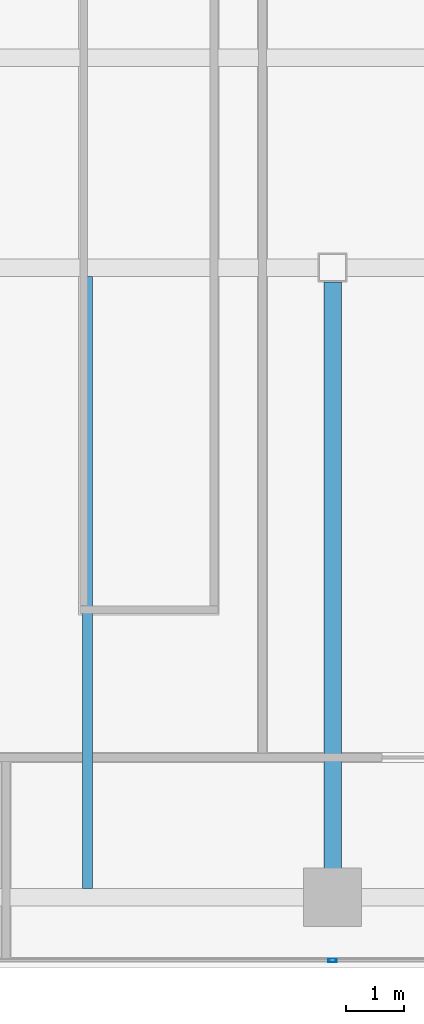
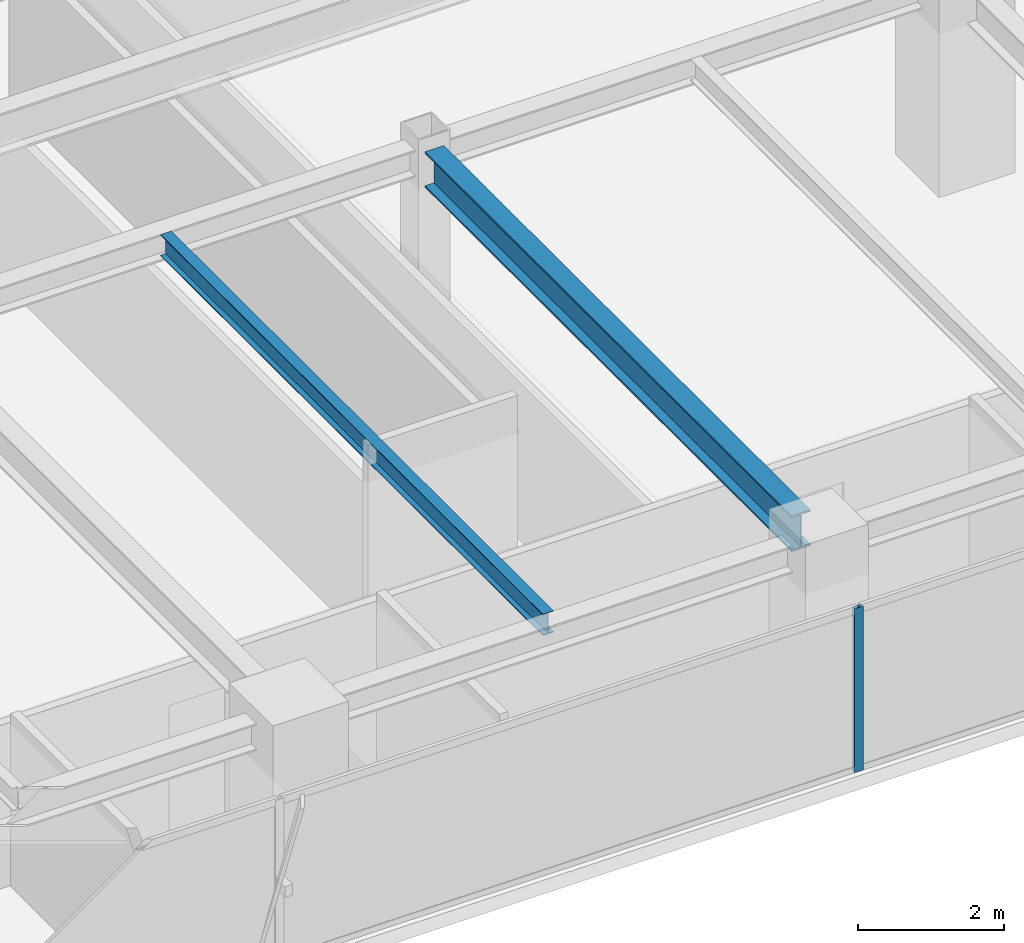
# One storey, part 6 of 26: 2 beams, 1 member, 1 element without a shape of its own.
"""IFC4 building model written with IfcOpenShell, lengths in metres."""

from ifc_helpers import new_model, si_unit, direction, frame, origin, origin_2d, place, context, subcontext, project, spatial, hollow_rectangle, i_section, extrude, source, transform, mapped, material, layer, layer_set, material_profile, profile_set, type_object, element, aggregate, save


model = new_model("IFC4")

# Units and contexts
model_context = context("Model", 3, precision=1e-05, world=origin(), true_north=direction((0.0, 1.0)))
body_context = subcontext(model_context, "Body", "Model", "MODEL_VIEW")
ifc_project = project(units=[si_unit("LENGTHUNIT", "METRE"), si_unit("AREAUNIT", "SQUARE_METRE"), si_unit("VOLUMEUNIT", "CUBIC_METRE"), si_unit("PLANEANGLEUNIT", "RADIAN"), si_unit("MASSUNIT", "GRAM", prefix="KILO")], contexts=[model_context])

# Site, building, storey
site_placement = place(None, origin())
site = spatial("IfcSite", under=ifc_project, at=site_placement, CompositionType="ELEMENT")
building_placement = place(site_placement, origin())
building = spatial("IfcBuilding", under=site, at=building_placement, Name="Sumidabori Civic Tower", CompositionType="ELEMENT")
storey_placement = place(building_placement, frame((0.0, 0.0, 236.0)))
storey = spatial("IfcBuildingStorey", under=building, at=storey_placement, Name="L61", CompositionType="ELEMENT", Elevation=236.0)

# Beams
ifc_material_1 = material(Name="Steel SN490", Category="steel")
ifc_material_profile_1 = material_profile(ifc_material_1, i_section(OverallWidth=0.300048828125, OverallDepth=0.60009765625, WebThickness=0.015380859375, FlangeThickness=0.030029296875, at=origin_2d()), Name="HE 600 B")
ifc_profile_set_1 = profile_set([ifc_material_profile_1], Name="Steel SN490")
beam_type_1 = type_object("IfcBeamType", Name="BM-GIRD-600", PredefinedType="BEAM", material=ifc_profile_set_1)
shared_shape_1 = source(origin(), body_context, "Body", "SweptSolid", [
    extrude(i_section(OverallWidth=0.300048828125, OverallDepth=0.60009765625, WebThickness=0.015380859375, FlangeThickness=0.030029296875, at=origin_2d()), origin(), (0.0, 0.0, 1.0), 10.070068359375),
])
beam_1_placement = place(storey_placement, frame((0.0, -10.320068359375, 3.070068359375), z_axis=(0.0, 1.0, 0.0), x_axis=(-1.0, 0.0, 0.0)))
element("IfcBeam", 1, at=beam_1_placement, inside=storey, type_object=beam_type_1, Name="Primary Girder L61 GY-13", PredefinedType="BEAM", context=body_context, shape_type="MappedRepresentation", body=[
    mapped(shared_shape_1, transform((0.0, 0.0, 0.0), x_axis=(1.0, 0.0, 0.0), y_axis=(0.0, 1.0, 0.0), z_axis=(0.0, 0.0, 1.0), scale=1.0)),
])
ifc_material_profile_2 = material_profile(ifc_material_1, i_section(OverallWidth=0.169921875, OverallDepth=0.360107421875, WebThickness=0.008056640625, FlangeThickness=0.0126953125, at=origin_2d()), Name="IPE 360")
ifc_profile_set_2 = profile_set([ifc_material_profile_2], Name="Steel SN490")
beam_type_2 = type_object("IfcBeamType", Name="BM-JST-360", PredefinedType="JOIST", material=ifc_profile_set_2)
shared_shape_2 = source(origin(), body_context, "Body", "SweptSolid", [
    extrude(i_section(OverallWidth=0.169921875, OverallDepth=0.360107421875, WebThickness=0.008056640625, FlangeThickness=0.0126953125, at=origin_2d()), origin(), (0.0, 0.0, 1.0), 10.5),
])
beam_2_placement = place(storey_placement, frame((-4.199951171875, -10.64990234375, 3.18994140625), z_axis=(0.0, 1.0, 0.0), x_axis=(-1.0, 0.0, 0.0)))
element("IfcBeam", 2, at=beam_2_placement, inside=storey, type_object=beam_type_2, Name="Upper Lens N-S Floor Joist L61 JSTV-21", PredefinedType="JOIST", context=body_context, shape_type="MappedRepresentation", body=[
    mapped(shared_shape_2, transform((0.0, 0.0, 0.0), x_axis=(1.0, 0.0, 0.0), y_axis=(0.0, 1.0, 0.0), z_axis=(0.0, 0.0, 1.0), scale=1.0)),
])

# Curtain wall, member
ifc_material_2 = material(Name="Anodised Bronze Aluminium AW-6063-T6", Category="aluminium")
ifc_layer = layer(ifc_material_2, 0.179931640625, Name="Anodised Bronze Aluminium AW-6063-T6")
ifc_layer_set = layer_set([ifc_layer], Name="Anodised Bronze Aluminium AW-6063-T6")
curtain_wall_type = type_object("IfcCurtainWallType", Name="CW-SYS-5", PredefinedType="NOTDEFINED", material=ifc_layer_set)
curtain_wall_placement = place(storey_placement, origin())
curtain_wall = element("IfcCurtainWall", 3, at=curtain_wall_placement, inside=storey, type_object=curtain_wall_type, Name="Curtain Wall CW:L61:R01", PredefinedType="NOTDEFINED")
ifc_material_profile_3 = material_profile(ifc_material_2, hollow_rectangle(XDim=0.06005859375, YDim=0.139892578125, WallThickness=0.0048828125, at=origin_2d()), Name="ALU MULLION 140x60")
ifc_profile_set_3 = profile_set([ifc_material_profile_3], Name="Anodised Bronze Aluminium AW-6063-T6")
member_type = type_object("IfcMemberType", Name="CW-MUL-140", PredefinedType="MULLION", material=ifc_profile_set_3)
shared_shape_3 = source(origin(), body_context, "Body", "SweptSolid", [
    extrude(hollow_rectangle(XDim=0.06005859375, YDim=0.139892578125, WallThickness=0.0048828125, at=origin_2d()), origin(), (0.0, 0.0, 1.0), 2.75),
])
member_placement = place(storey_placement, frame((0.0, -11.8798828125, 0.0), z_axis=(0.0, 0.0, 1.0), x_axis=(0.0, 1.0, 0.0)))
member = element("IfcMember", 4, at=member_placement, type_object=member_type, Name="CW-5 mullion 3", PredefinedType="MULLION", context=body_context, shape_type="MappedRepresentation", body=[
    mapped(shared_shape_3, transform((0.0, 0.0, 0.0), x_axis=(1.0, 0.0, 0.0), y_axis=(0.0, 1.0, 0.0), z_axis=(0.0, 0.0, 1.0), scale=1.0)),
])
aggregate(curtain_wall, [member])

save(model, "model.ifc")
